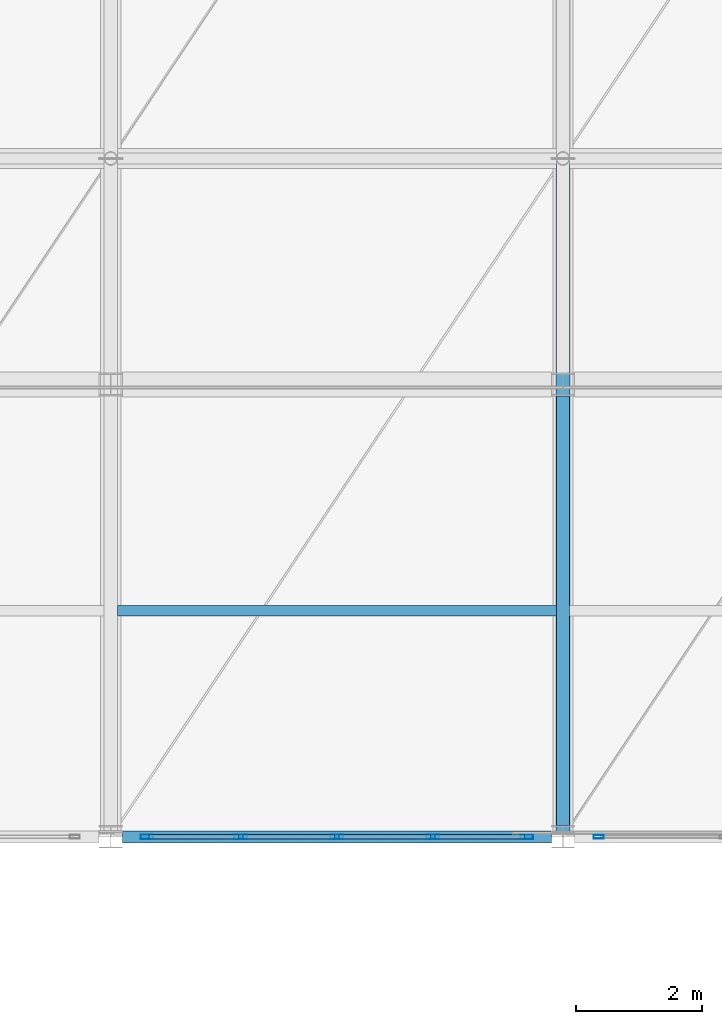
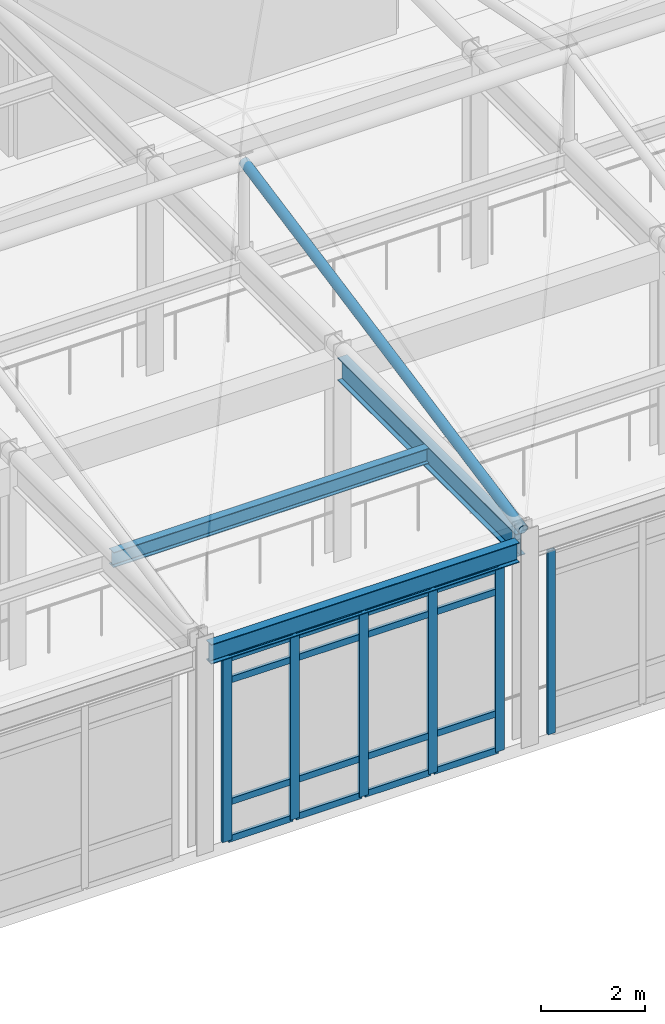
# One storey, part 38 of 117: 23 members, 3 beams, 2 elements without a shape of their own.
"""IFC4 building model written with IfcOpenShell, lengths in metres."""

from ifc_helpers import new_model, si_unit, direction, frame, origin, origin_2d, place, context, subcontext, project, spatial, hollow_rectangle, hollow_circle, i_section, extrude, material, layer, layer_set, material_profile, profile_set, type_object, element, aggregate, save


model = new_model("IFC4")

# Units and contexts
model_context = context("Model", 3, precision=1e-05, world=origin(), true_north=direction((0.0, 1.0)))
body_context = subcontext(model_context, "Body", "Model", "MODEL_VIEW")
ifc_project = project(units=[si_unit("LENGTHUNIT", "METRE"), si_unit("AREAUNIT", "SQUARE_METRE"), si_unit("VOLUMEUNIT", "CUBIC_METRE"), si_unit("PLANEANGLEUNIT", "RADIAN"), si_unit("MASSUNIT", "GRAM", prefix="KILO")], contexts=[model_context])

# Site, building, storey
site_placement = place(None, origin())
site = spatial("IfcSite", under=ifc_project, at=site_placement, CompositionType="ELEMENT")
building_placement = place(site_placement, origin())
building = spatial("IfcBuilding", under=site, at=building_placement, Name="Carrowvane Square Congress Hotel", CompositionType="ELEMENT")
storey_placement = place(building_placement, frame((0.0, 0.0, 5.39990234375)))
storey = spatial("IfcBuildingStorey", under=building, at=storey_placement, Name="L01", CompositionType="ELEMENT", Elevation=5.39990234375)

# Beams
ifc_material_1 = material(Name="Steel S355", Category="steel")
ifc_material_profile_1 = material_profile(ifc_material_1, i_section(OverallWidth=0.172119140625, OverallDepth=0.35791015625, WebThickness=0.008056640625, FlangeThickness=0.012939453125, FilletRadius=0.01025390625, at=origin_2d()), Name="UKB 356x171x57")
ifc_profile_set_1 = profile_set([ifc_material_profile_1], Name="Steel S355")
beam_type_1 = type_object("IfcBeamType", Name="BM-ST-UKB356", PredefinedType="JOIST", material=ifc_profile_set_1)
beam_1_placement = place(storey_placement, frame((90.905029296875, 73.800048828125, 4.60107421875), z_axis=(1.0, 0.0, 0.0), x_axis=(0.0, 1.0, 0.0)))
element("IfcBeam", 1, at=beam_1_placement, inside=storey, type_object=beam_type_1, Name="L02 secondary joist 12-13", PredefinedType="JOIST", context=body_context, shape_type="SweptSolid", body=[
    extrude(i_section(OverallWidth=0.172119140625, OverallDepth=0.35791015625, WebThickness=0.008056640625, FlangeThickness=0.012939453125, FilletRadius=0.01025390625, at=origin_2d()), origin(), (0.0, 0.0, 1.0), 6.989990234375),
])
ifc_material_2 = material(Name="Steel S355", Category="steel")
ifc_material_profile_2 = material_profile(ifc_material_2, i_section(OverallWidth=0.19140625, OverallDepth=0.4599609375, WebThickness=0.010009765625, FlangeThickness=0.01611328125, FilletRadius=0.01025390625, at=origin_2d()), Name="UKB 457x191x82")
ifc_profile_set_2 = profile_set([ifc_material_profile_2], Name="Steel S355")
beam_type_2 = type_object("IfcBeamType", Name="BM-ST-UKB457", PredefinedType="SPANDREL", material=ifc_profile_set_2)
beam_2_placement = place(storey_placement, frame((90.9853515625, 70.199951171875, 4.550048828125), z_axis=(1.0, 0.0, 0.0), x_axis=(0.0, 1.0, 0.0)))
element("IfcBeam", 2, at=beam_2_placement, inside=storey, type_object=beam_type_2, Name="L02 girder K/12-13", PredefinedType="SPANDREL", context=body_context, shape_type="SweptSolid", body=[
    extrude(i_section(OverallWidth=0.19140625, OverallDepth=0.4599609375, WebThickness=0.010009765625, FlangeThickness=0.01611328125, FilletRadius=0.01025390625, at=origin_2d()), origin(), (0.0, 0.0, 1.0), 6.829345703125),
])
ifc_material_3 = material(Name="Steel S355", Category="steel")
ifc_material_profile_3 = material_profile(ifc_material_3, i_section(OverallWidth=0.2099609375, OverallDepth=0.53662109375, WebThickness=0.0107421875, FlangeThickness=0.017333984375, FilletRadius=0.0126953125, at=origin_2d()), Name="UKB 533x210x101")
ifc_profile_set_3 = profile_set([ifc_material_profile_3], Name="Steel S355")
beam_type_3 = type_object("IfcBeamType", Name="BM-ST-UKB533", PredefinedType="USERDEFINED", material=ifc_profile_set_3)
beam_3_placement = place(storey_placement, frame((98.0, 70.381103515625, 4.51171875), z_axis=(0.0, 1.0, 0.0), x_axis=(-1.0, 0.0, 0.0)))
element("IfcBeam", 3, at=beam_3_placement, inside=storey, type_object=beam_type_3, Name="L02 girder 13/K-L", ObjectType="GIRDER", PredefinedType="USERDEFINED", context=body_context, shape_type="SweptSolid", body=[
    extrude(i_section(OverallWidth=0.2099609375, OverallDepth=0.53662109375, WebThickness=0.0107421875, FlangeThickness=0.017333984375, FilletRadius=0.0126953125, at=origin_2d()), origin(), (0.0, 0.0, 1.0), 6.837890625),
])

# Curtain wall, member
ifc_material_4 = material(Name="Anodised aluminium", Category="aluminium")
ifc_layer_1 = layer(ifc_material_4, 0.162109375)
ifc_layer_set_1 = layer_set([ifc_layer_1], Name="Anodised aluminium")
curtain_wall_type_1 = type_object("IfcCurtainWallType", Name="CW-SYS-1", PredefinedType="NOTDEFINED", material=ifc_layer_set_1)
curtain_wall_1_placement = place(storey_placement, origin())
curtain_wall_1 = element("IfcCurtainWall", 4, at=curtain_wall_1_placement, inside=storey, type_object=curtain_wall_type_1, Name="L01 unitised curtain wall 120", PredefinedType="NOTDEFINED")
ifc_material_5 = material(Name="Anodised aluminium", Category="aluminium")
ifc_material_profile_4 = material_profile(ifc_material_5, hollow_rectangle(XDim=0.06005859375, YDim=0.159912109375, WallThickness=0.00390625, at=origin_2d()), Name="CW-ML 60x160x4")
ifc_profile_set_4 = profile_set([ifc_material_profile_4], Name="Anodised aluminium")
member_type_1 = type_object("IfcMemberType", Name="CW-MUL-1", PredefinedType="MULLION", material=ifc_profile_set_4)
member_1_placement = place(storey_placement, frame((98.570068359375, 70.199951171875, 0.0), z_axis=(0.0, 0.0, 1.0), x_axis=(0.0, -1.0, 0.0)))
member_1 = element("IfcMember", 5, at=member_1_placement, type_object=member_type_1, Name="CW-1 mullion 4", PredefinedType="MULLION", context=body_context, shape_type="SweptSolid", body=[
    extrude(hollow_rectangle(XDim=0.06005859375, YDim=0.159912109375, WallThickness=0.00390625, at=origin_2d()), origin(), (0.0, 0.0, 1.0), 4.30517578125),
])
aggregate(curtain_wall_1, [member_1])

# Curtain wall, members
ifc_material_6 = material(Name="Anodised aluminium", Category="aluminium")
ifc_layer_2 = layer(ifc_material_6, 0.174072265625)
ifc_layer_set_2 = layer_set([ifc_layer_2], Name="Anodised aluminium")
curtain_wall_type_2 = type_object("IfcCurtainWallType", Name="CW-SYS-2", PredefinedType="NOTDEFINED", material=ifc_layer_set_2)
curtain_wall_2_placement = place(storey_placement, origin())
curtain_wall_2 = element("IfcCurtainWall", 6, at=curtain_wall_2_placement, inside=storey, type_object=curtain_wall_type_2, Name="L01 unitised curtain wall 121", PredefinedType="NOTDEFINED")
ifc_material_7 = material(Name="Anodised aluminium", Category="aluminium")
ifc_material_profile_5 = material_profile(ifc_material_7, hollow_rectangle(XDim=0.070068359375, YDim=0.199951171875, WallThickness=0.0048828125, at=origin_2d()), Name="CW-ML 70x200x5")
ifc_profile_set_5 = profile_set([ifc_material_profile_5], Name="Anodised aluminium")
member_type_2 = type_object("IfcMemberType", Name="CW-MUL-2", PredefinedType="MULLION", material=ifc_profile_set_5)
member_2_placement = place(storey_placement, frame((97.425048828125, 70.199951171875, 0.0), z_axis=(0.0, 0.0, 1.0), x_axis=(0.0, -1.0, 0.0)))
member_2 = element("IfcMember", 7, at=member_2_placement, type_object=member_type_2, Name="CW-2 mullion 1", PredefinedType="MULLION", context=body_context, shape_type="SweptSolid", body=[
    extrude(hollow_rectangle(XDim=0.070068359375, YDim=0.199951171875, WallThickness=0.0048828125, at=origin_2d()), origin(), (0.0, 0.0, 1.0), 4.30517578125),
])
member_3_placement = place(storey_placement, frame((95.929931640625, 70.199951171875, 0.0), z_axis=(0.0, 0.0, 1.0), x_axis=(0.0, -1.0, 0.0)))
member_3 = element("IfcMember", 8, at=member_3_placement, type_object=member_type_2, Name="CW-2 mullion 2", PredefinedType="MULLION", context=body_context, shape_type="SweptSolid", body=[
    extrude(hollow_rectangle(XDim=0.070068359375, YDim=0.199951171875, WallThickness=0.0048828125, at=origin_2d()), origin(), (0.0, 0.0, 1.0), 4.30517578125),
])
member_4_placement = place(storey_placement, frame((94.39990234375, 70.199951171875, 0.0), z_axis=(0.0, 0.0, 1.0), x_axis=(0.0, -1.0, 0.0)))
member_4 = element("IfcMember", 9, at=member_4_placement, type_object=member_type_2, Name="CW-2 mullion 3", PredefinedType="MULLION", context=body_context, shape_type="SweptSolid", body=[
    extrude(hollow_rectangle(XDim=0.070068359375, YDim=0.199951171875, WallThickness=0.0048828125, at=origin_2d()), origin(), (0.0, 0.0, 1.0), 4.30517578125),
])
member_5_placement = place(storey_placement, frame((92.8701171875, 70.199951171875, 0.0), z_axis=(0.0, 0.0, 1.0), x_axis=(0.0, -1.0, 0.0)))
member_5 = element("IfcMember", 10, at=member_5_placement, type_object=member_type_2, Name="CW-2 mullion 4", PredefinedType="MULLION", context=body_context, shape_type="SweptSolid", body=[
    extrude(hollow_rectangle(XDim=0.070068359375, YDim=0.199951171875, WallThickness=0.0048828125, at=origin_2d()), origin(), (0.0, 0.0, 1.0), 4.30517578125),
])
member_6_placement = place(storey_placement, frame((91.375, 70.199951171875, 0.0), z_axis=(0.0, 0.0, 1.0), x_axis=(0.0, -1.0, 0.0)))
member_6 = element("IfcMember", 11, at=member_6_placement, type_object=member_type_2, Name="CW-2 mullion 5", PredefinedType="MULLION", context=body_context, shape_type="SweptSolid", body=[
    extrude(hollow_rectangle(XDim=0.070068359375, YDim=0.199951171875, WallThickness=0.0048828125, at=origin_2d()), origin(), (0.0, 0.0, 1.0), 4.30517578125),
])
ifc_material_8 = material(Name="Anodised aluminium", Category="aluminium")
ifc_material_profile_6 = material_profile(ifc_material_8, hollow_rectangle(XDim=0.070068359375, YDim=0.14990234375, WallThickness=0.0048828125, at=origin_2d()), Name="CW-TR 70x150x5")
ifc_profile_set_6 = profile_set([ifc_material_profile_6], Name="Anodised aluminium")
member_type_3 = type_object("IfcMemberType", Name="CW-TRN-2", PredefinedType="USERDEFINED", material=ifc_profile_set_6)
member_7_placement = place(storey_placement, frame((97.389892578125, 70.199951171875, 0.03515625), z_axis=(-1.0, 0.0, 0.0), x_axis=(0.0, -1.0, 0.0)))
member_7 = element("IfcMember", 12, at=member_7_placement, type_object=member_type_3, Name="CW-2 transom 1.1", ObjectType="TRANSOM", PredefinedType="USERDEFINED", context=body_context, shape_type="SweptSolid", body=[
    extrude(hollow_rectangle(XDim=0.070068359375, YDim=0.14990234375, WallThickness=0.0048828125, at=origin_2d()), origin(), (0.0, 0.0, 1.0), 1.4248046875),
])
member_8_placement = place(storey_placement, frame((97.389892578125, 70.199951171875, 0.900146484375), z_axis=(-1.0, 0.0, 0.0), x_axis=(0.0, -1.0, 0.0)))
member_8 = element("IfcMember", 13, at=member_8_placement, type_object=member_type_3, Name="CW-2 transom 1.2", ObjectType="TRANSOM", PredefinedType="USERDEFINED", context=body_context, shape_type="SweptSolid", body=[
    extrude(hollow_rectangle(XDim=0.070068359375, YDim=0.14990234375, WallThickness=0.0048828125, at=origin_2d()), origin(), (0.0, 0.0, 1.0), 1.4248046875),
])
member_9_placement = place(storey_placement, frame((97.389892578125, 70.199951171875, 3.755126953125), z_axis=(-1.0, 0.0, 0.0), x_axis=(0.0, -1.0, 0.0)))
member_9 = element("IfcMember", 14, at=member_9_placement, type_object=member_type_3, Name="CW-2 transom 1.3", ObjectType="TRANSOM", PredefinedType="USERDEFINED", context=body_context, shape_type="SweptSolid", body=[
    extrude(hollow_rectangle(XDim=0.070068359375, YDim=0.14990234375, WallThickness=0.0048828125, at=origin_2d()), origin(), (0.0, 0.0, 1.0), 1.4248046875),
])
member_10_placement = place(storey_placement, frame((97.389892578125, 70.199951171875, 4.27001953125), z_axis=(-1.0, 0.0, 0.0), x_axis=(0.0, -1.0, 0.0)))
member_10 = element("IfcMember", 15, at=member_10_placement, type_object=member_type_3, Name="CW-2 transom 1.4", ObjectType="TRANSOM", PredefinedType="USERDEFINED", context=body_context, shape_type="SweptSolid", body=[
    extrude(hollow_rectangle(XDim=0.070068359375, YDim=0.14990234375, WallThickness=0.0048828125, at=origin_2d()), origin(), (0.0, 0.0, 1.0), 1.4248046875),
])
member_11_placement = place(storey_placement, frame((95.89501953125, 70.199951171875, 0.03515625), z_axis=(-1.0, 0.0, 0.0), x_axis=(0.0, -1.0, 0.0)))
member_11 = element("IfcMember", 16, at=member_11_placement, type_object=member_type_3, Name="CW-2 transom 2.1", ObjectType="TRANSOM", PredefinedType="USERDEFINED", context=body_context, shape_type="SweptSolid", body=[
    extrude(hollow_rectangle(XDim=0.070068359375, YDim=0.14990234375, WallThickness=0.0048828125, at=origin_2d()), origin(), (0.0, 0.0, 1.0), 1.4599609375),
])
member_12_placement = place(storey_placement, frame((95.89501953125, 70.199951171875, 0.900146484375), z_axis=(-1.0, 0.0, 0.0), x_axis=(0.0, -1.0, 0.0)))
member_12 = element("IfcMember", 17, at=member_12_placement, type_object=member_type_3, Name="CW-2 transom 2.2", ObjectType="TRANSOM", PredefinedType="USERDEFINED", context=body_context, shape_type="SweptSolid", body=[
    extrude(hollow_rectangle(XDim=0.070068359375, YDim=0.14990234375, WallThickness=0.0048828125, at=origin_2d()), origin(), (0.0, 0.0, 1.0), 1.4599609375),
])
member_13_placement = place(storey_placement, frame((95.89501953125, 70.199951171875, 3.755126953125), z_axis=(-1.0, 0.0, 0.0), x_axis=(0.0, -1.0, 0.0)))
member_13 = element("IfcMember", 18, at=member_13_placement, type_object=member_type_3, Name="CW-2 transom 2.3", ObjectType="TRANSOM", PredefinedType="USERDEFINED", context=body_context, shape_type="SweptSolid", body=[
    extrude(hollow_rectangle(XDim=0.070068359375, YDim=0.14990234375, WallThickness=0.0048828125, at=origin_2d()), origin(), (0.0, 0.0, 1.0), 1.4599609375),
])
member_14_placement = place(storey_placement, frame((95.89501953125, 70.199951171875, 4.27001953125), z_axis=(-1.0, 0.0, 0.0), x_axis=(0.0, -1.0, 0.0)))
member_14 = element("IfcMember", 19, at=member_14_placement, type_object=member_type_3, Name="CW-2 transom 2.4", ObjectType="TRANSOM", PredefinedType="USERDEFINED", context=body_context, shape_type="SweptSolid", body=[
    extrude(hollow_rectangle(XDim=0.070068359375, YDim=0.14990234375, WallThickness=0.0048828125, at=origin_2d()), origin(), (0.0, 0.0, 1.0), 1.4599609375),
])
member_15_placement = place(storey_placement, frame((94.364990234375, 70.199951171875, 0.03515625), z_axis=(-1.0, 0.0, 0.0), x_axis=(0.0, -1.0, 0.0)))
member_15 = element("IfcMember", 20, at=member_15_placement, type_object=member_type_3, Name="CW-2 transom 3.1", ObjectType="TRANSOM", PredefinedType="USERDEFINED", context=body_context, shape_type="SweptSolid", body=[
    extrude(hollow_rectangle(XDim=0.070068359375, YDim=0.14990234375, WallThickness=0.0048828125, at=origin_2d()), origin(), (0.0, 0.0, 1.0), 1.4599609375),
])
member_16_placement = place(storey_placement, frame((94.364990234375, 70.199951171875, 0.900146484375), z_axis=(-1.0, 0.0, 0.0), x_axis=(0.0, -1.0, 0.0)))
member_16 = element("IfcMember", 21, at=member_16_placement, type_object=member_type_3, Name="CW-2 transom 3.2", ObjectType="TRANSOM", PredefinedType="USERDEFINED", context=body_context, shape_type="SweptSolid", body=[
    extrude(hollow_rectangle(XDim=0.070068359375, YDim=0.14990234375, WallThickness=0.0048828125, at=origin_2d()), origin(), (0.0, 0.0, 1.0), 1.4599609375),
])
member_17_placement = place(storey_placement, frame((94.364990234375, 70.199951171875, 3.755126953125), z_axis=(-1.0, 0.0, 0.0), x_axis=(0.0, -1.0, 0.0)))
member_17 = element("IfcMember", 22, at=member_17_placement, type_object=member_type_3, Name="CW-2 transom 3.3", ObjectType="TRANSOM", PredefinedType="USERDEFINED", context=body_context, shape_type="SweptSolid", body=[
    extrude(hollow_rectangle(XDim=0.070068359375, YDim=0.14990234375, WallThickness=0.0048828125, at=origin_2d()), origin(), (0.0, 0.0, 1.0), 1.4599609375),
])
member_18_placement = place(storey_placement, frame((94.364990234375, 70.199951171875, 4.27001953125), z_axis=(-1.0, 0.0, 0.0), x_axis=(0.0, -1.0, 0.0)))
member_18 = element("IfcMember", 23, at=member_18_placement, type_object=member_type_3, Name="CW-2 transom 3.4", ObjectType="TRANSOM", PredefinedType="USERDEFINED", context=body_context, shape_type="SweptSolid", body=[
    extrude(hollow_rectangle(XDim=0.070068359375, YDim=0.14990234375, WallThickness=0.0048828125, at=origin_2d()), origin(), (0.0, 0.0, 1.0), 1.4599609375),
])
member_19_placement = place(storey_placement, frame((92.8349609375, 70.199951171875, 0.03515625), z_axis=(-1.0, 0.0, 0.0), x_axis=(0.0, -1.0, 0.0)))
member_19 = element("IfcMember", 24, at=member_19_placement, type_object=member_type_3, Name="CW-2 transom 4.1", ObjectType="TRANSOM", PredefinedType="USERDEFINED", context=body_context, shape_type="SweptSolid", body=[
    extrude(hollow_rectangle(XDim=0.070068359375, YDim=0.14990234375, WallThickness=0.0048828125, at=origin_2d()), origin(), (0.0, 0.0, 1.0), 1.425048828125),
])
member_20_placement = place(storey_placement, frame((92.8349609375, 70.199951171875, 0.900146484375), z_axis=(-1.0, 0.0, 0.0), x_axis=(0.0, -1.0, 0.0)))
member_20 = element("IfcMember", 25, at=member_20_placement, type_object=member_type_3, Name="CW-2 transom 4.2", ObjectType="TRANSOM", PredefinedType="USERDEFINED", context=body_context, shape_type="SweptSolid", body=[
    extrude(hollow_rectangle(XDim=0.070068359375, YDim=0.14990234375, WallThickness=0.0048828125, at=origin_2d()), origin(), (0.0, 0.0, 1.0), 1.425048828125),
])
member_21_placement = place(storey_placement, frame((92.8349609375, 70.199951171875, 3.755126953125), z_axis=(-1.0, 0.0, 0.0), x_axis=(0.0, -1.0, 0.0)))
member_21 = element("IfcMember", 26, at=member_21_placement, type_object=member_type_3, Name="CW-2 transom 4.3", ObjectType="TRANSOM", PredefinedType="USERDEFINED", context=body_context, shape_type="SweptSolid", body=[
    extrude(hollow_rectangle(XDim=0.070068359375, YDim=0.14990234375, WallThickness=0.0048828125, at=origin_2d()), origin(), (0.0, 0.0, 1.0), 1.425048828125),
])
member_22_placement = place(storey_placement, frame((92.8349609375, 70.199951171875, 4.27001953125), z_axis=(-1.0, 0.0, 0.0), x_axis=(0.0, -1.0, 0.0)))
member_22 = element("IfcMember", 27, at=member_22_placement, type_object=member_type_3, Name="CW-2 transom 4.4", ObjectType="TRANSOM", PredefinedType="USERDEFINED", context=body_context, shape_type="SweptSolid", body=[
    extrude(hollow_rectangle(XDim=0.070068359375, YDim=0.14990234375, WallThickness=0.0048828125, at=origin_2d()), origin(), (0.0, 0.0, 1.0), 1.425048828125),
])
aggregate(curtain_wall_2, [member_2, member_3, member_4, member_5, member_6, member_7, member_8, member_9, member_10, member_11, member_12, member_13, member_14, member_15, member_16, member_17, member_18, member_19, member_20, member_21, member_22])

# Member
ifc_material_9 = material(Name="Steel S355", Category="steel")
ifc_material_profile_7 = material_profile(ifc_material_9, hollow_circle(Radius=0.109619140625, WallThickness=0.012451171875, at=origin_2d()), Name="CHS 219.1x12.5")
ifc_profile_set_7 = profile_set([ifc_material_profile_7], Name="Steel S355")
member_type_4 = type_object("IfcMemberType", Name="MEM-ST-CHS219", PredefinedType="STRUT", material=ifc_profile_set_7)
member_23_placement = place(storey_placement, frame((98.0, 70.280029296875, 4.920166015625), z_axis=(0.0, 0.980904965039, 0.19448765915), x_axis=(-1.0, 0.0, 0.0)))
element("IfcMember", 28, at=member_23_placement, inside=storey, type_object=member_type_4, Name="Public passage canopy strut S-4", PredefinedType="STRUT", context=body_context, shape_type="SweptSolid", body=[
    extrude(hollow_circle(Radius=0.109619140625, WallThickness=0.012451171875, at=origin_2d()), origin(), (0.0, 0.0, 1.0), 10.9287109375),
])

save(model, "model.ifc")
